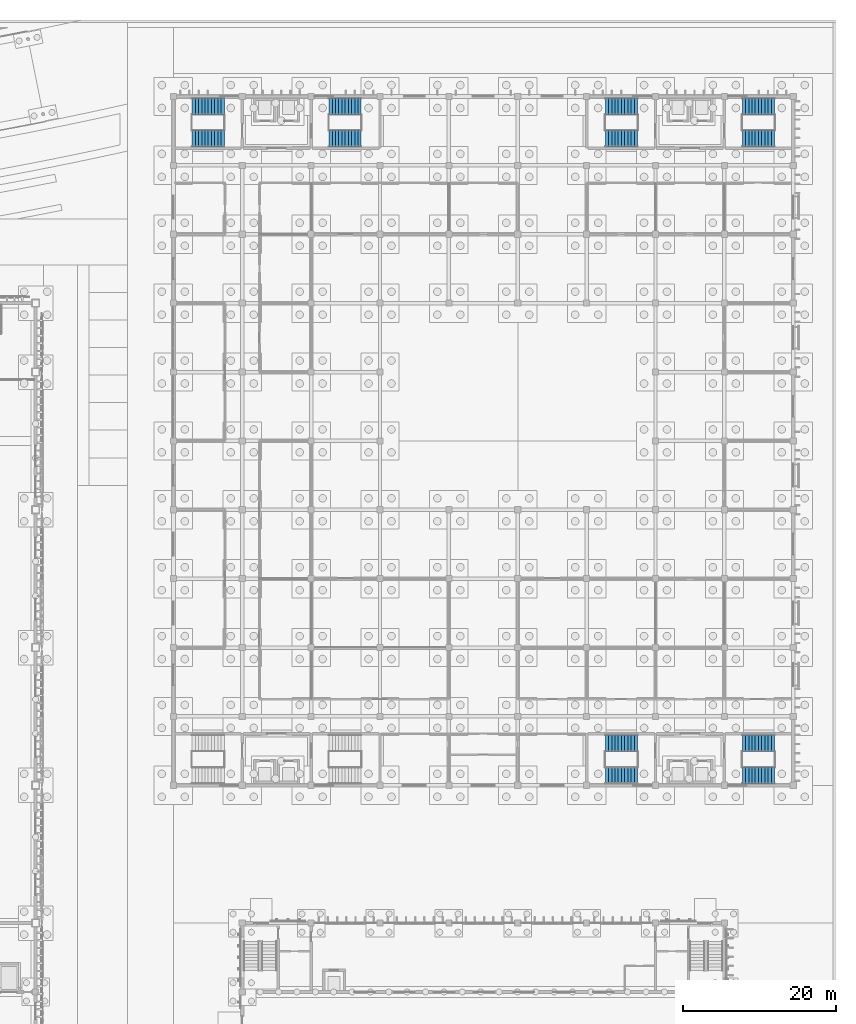
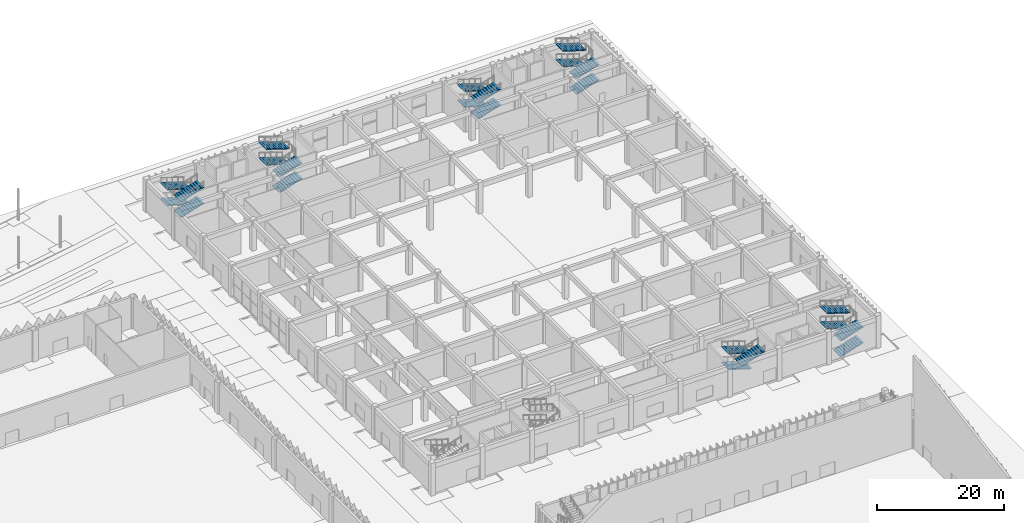
# One storey, part 112 of 198: 23 stair flights, 6 elements without a shape of their own.
"""IFC4 building model written with IfcOpenShell, lengths in metres."""

from ifc_helpers import new_model, si_unit, direction, frame, origin, place, context, subcontext, project, spatial, polyline, outline, extrude, material, type_object, element, aggregate, save


model = new_model("IFC4")

# Units and contexts
model_context = context("Model", 3, precision=1e-05, world=origin(), true_north=direction((0.0, 1.0)))
body_context = subcontext(model_context, "Body", "Model", "MODEL_VIEW")
ifc_project = project(units=[si_unit("LENGTHUNIT", "METRE"), si_unit("AREAUNIT", "SQUARE_METRE"), si_unit("VOLUMEUNIT", "CUBIC_METRE"), si_unit("PLANEANGLEUNIT", "RADIAN"), si_unit("MASSUNIT", "GRAM", prefix="KILO")], contexts=[model_context])

# Site, building, storey
site_placement = place(None, origin())
site = spatial("IfcSite", under=ifc_project, at=site_placement, CompositionType="ELEMENT")
building_placement = place(site_placement, origin())
building = spatial("IfcBuilding", under=site, at=building_placement, Name="Opaline Strait Convention Centre", CompositionType="ELEMENT")
storey_placement = place(building_placement, origin())
storey = spatial("IfcBuildingStorey", under=building, at=storey_placement, Name="L00", CompositionType="ELEMENT", Elevation=0.0)

# Stair, stair flights
ifc_material = material(Name="Concrete C40", Category="concrete")
stair_type = type_object("IfcStairType", Name="Escape stair half-turn 2200 concrete C40", PredefinedType="HALF_TURN_STAIR", material=ifc_material)
stair_1_placement = place(storey_placement, origin())
stair_1 = element("IfcStair", 1, at=stair_1_placement, inside=storey, type_object=stair_type, Name="L00 Stair S3-MTG", ObjectType="MST1", PredefinedType="HALF_TURN_STAIR")
stair_flight_type = type_object("IfcStairFlightType", Name="Stair flight 2200 concrete C40", PredefinedType="STRAIGHT", material=ifc_material)
stair_flight_1_placement = place(storey_placement, frame((353.349853515625, 91.300048828125, 0.0), z_axis=(0.0, 0.0, 1.0), x_axis=(1.0, 0.0, 0.0)))
stair_flight_1 = element("IfcStairFlight", 2, at=stair_flight_1_placement, type_object=stair_flight_type, Name="S3 flight 1", ObjectType="MSF2", NumberOfRisers=11, NumberOfTreads=10, PredefinedType="STRAIGHT", RiserHeight=0.136363636, TreadLength=0.42, context=body_context, shape_type="SweptSolid", body=[
    extrude(outline(polyline([(0.0, 0.0), (0.0, 0.136474609375), (0.419921875, 0.136474609375), (0.419921875, 0.272705078125), (0.840087890625, 0.272705078125), (0.840087890625, 0.4091796875), (1.260009765625, 0.4091796875), (1.260009765625, 0.54541015625), (1.679931640625, 0.54541015625), (1.679931640625, 0.681884765625), (2.10009765625, 0.681884765625), (2.10009765625, 0.818115234375), (2.52001953125, 0.818115234375), (2.52001953125, 0.95458984375), (2.93994140625, 0.95458984375), (2.93994140625, 1.0908203125), (3.360107421875, 1.0908203125), (3.360107421875, 1.227294921875), (3.780029296875, 1.227294921875), (3.780029296875, 1.363525390625), (4.199951171875, 1.363525390625), (4.199951171875, 1.5), (4.199951171875, 1.2060546875), (0.4853515625, 0.0), (0.0, 0.0)])), frame((0.0, 1.10009765625, 0.0), z_axis=(0.0, -1.0, 0.0), x_axis=(1.0, 0.0, 0.0)), (0.0, 0.0, 1.0), 2.199951171875),
])
stair_flight_2_placement = place(storey_placement, frame((357.5498046875, 95.5, 1.5), z_axis=(0.0, 0.0, 1.0), x_axis=(-1.0, 0.0, 0.0)))
stair_flight_2 = element("IfcStairFlight", 3, at=stair_flight_2_placement, type_object=stair_flight_type, Name="S3 flight 2", ObjectType="MSF2", NumberOfRisers=11, NumberOfTreads=10, PredefinedType="STRAIGHT", RiserHeight=0.136363636, TreadLength=0.42, context=body_context, shape_type="SweptSolid", body=[
    extrude(outline(polyline([(0.0, 0.0), (0.0, 0.136474609375), (0.419921875, 0.136474609375), (0.419921875, 0.272705078125), (0.840087890625, 0.272705078125), (0.840087890625, 0.4091796875), (1.260009765625, 0.4091796875), (1.260009765625, 0.54541015625), (1.679931640625, 0.54541015625), (1.679931640625, 0.681884765625), (2.10009765625, 0.681884765625), (2.10009765625, 0.818115234375), (2.52001953125, 0.818115234375), (2.52001953125, 0.95458984375), (2.93994140625, 0.95458984375), (2.93994140625, 1.0908203125), (3.360107421875, 1.0908203125), (3.360107421875, 1.227294921875), (3.780029296875, 1.227294921875), (3.780029296875, 1.363525390625), (4.199951171875, 1.363525390625), (4.199951171875, 1.5), (4.199951171875, 1.2060546875), (0.4853515625, 0.0), (0.0, 0.0)])), frame((0.0, 1.10009765625, 0.0), z_axis=(0.0, -1.0, 0.0), x_axis=(1.0, 0.0, 0.0)), (0.0, 0.0, 1.0), 2.199951171875),
])
stair_flight_3_placement = place(storey_placement, frame((353.349853515625, 91.300048828125, 3.0), z_axis=(0.0, 0.0, 1.0), x_axis=(1.0, 0.0, 0.0)))
stair_flight_3 = element("IfcStairFlight", 4, at=stair_flight_3_placement, type_object=stair_flight_type, Name="S3 flight 3", ObjectType="MSF2", NumberOfRisers=11, NumberOfTreads=10, PredefinedType="STRAIGHT", RiserHeight=0.136363636, TreadLength=0.42, context=body_context, shape_type="SweptSolid", body=[
    extrude(outline(polyline([(0.0, 0.0), (0.0, 0.136474609375), (0.419921875, 0.136474609375), (0.419921875, 0.272705078125), (0.840087890625, 0.272705078125), (0.840087890625, 0.4091796875), (1.260009765625, 0.4091796875), (1.260009765625, 0.54541015625), (1.679931640625, 0.54541015625), (1.679931640625, 0.681884765625), (2.10009765625, 0.681884765625), (2.10009765625, 0.818115234375), (2.52001953125, 0.818115234375), (2.52001953125, 0.95458984375), (2.93994140625, 0.95458984375), (2.93994140625, 1.0908203125), (3.360107421875, 1.0908203125), (3.360107421875, 1.227294921875), (3.780029296875, 1.227294921875), (3.780029296875, 1.363525390625), (4.199951171875, 1.363525390625), (4.199951171875, 1.5), (4.199951171875, 1.2060546875), (0.4853515625, 0.0), (0.0, 0.0)])), frame((0.0, 1.10009765625, 0.0), z_axis=(0.0, -1.0, 0.0), x_axis=(1.0, 0.0, 0.0)), (0.0, 0.0, 1.0), 2.199951171875),
])
stair_flight_4_placement = place(storey_placement, frame((357.5498046875, 95.5, 4.5), z_axis=(0.0, 0.0, 1.0), x_axis=(-1.0, 0.0, 0.0)))
stair_flight_4 = element("IfcStairFlight", 5, at=stair_flight_4_placement, type_object=stair_flight_type, Name="S3 flight 4", ObjectType="MSF2", NumberOfRisers=11, NumberOfTreads=10, PredefinedType="STRAIGHT", RiserHeight=0.136363636, TreadLength=0.42, context=body_context, shape_type="SweptSolid", body=[
    extrude(outline(polyline([(0.0, 0.0), (0.0, 0.136474609375), (0.419921875, 0.136474609375), (0.419921875, 0.272705078125), (0.840087890625, 0.272705078125), (0.840087890625, 0.4091796875), (1.260009765625, 0.4091796875), (1.260009765625, 0.54541015625), (1.679931640625, 0.54541015625), (1.679931640625, 0.681884765625), (2.10009765625, 0.681884765625), (2.10009765625, 0.818115234375), (2.52001953125, 0.818115234375), (2.52001953125, 0.95458984375), (2.93994140625, 0.95458984375), (2.93994140625, 1.0908203125), (3.360107421875, 1.0908203125), (3.360107421875, 1.227294921875), (3.780029296875, 1.227294921875), (3.780029296875, 1.363525390625), (4.199951171875, 1.363525390625), (4.199951171875, 1.5), (4.199951171875, 1.2060546875), (0.4853515625, 0.0), (0.0, 0.0)])), frame((0.0, 1.10009765625, 0.0), z_axis=(0.0, -1.0, 0.0), x_axis=(1.0, 0.0, 0.0)), (0.0, 0.0, 1.0), 2.199951171875),
])
aggregate(stair_1, [stair_flight_1, stair_flight_2, stair_flight_3, stair_flight_4])

stair_2_placement = place(storey_placement, origin())
stair_2 = element("IfcStair", 6, at=stair_2_placement, inside=storey, type_object=stair_type, Name="L00 Stair S4-MTG", ObjectType="MST1", PredefinedType="HALF_TURN_STAIR")
stair_flight_5_placement = place(storey_placement, frame((339.650146484375, 95.5, 0.0), z_axis=(0.0, 0.0, 1.0), x_axis=(-1.0, 0.0, 0.0)))
stair_flight_5 = element("IfcStairFlight", 7, at=stair_flight_5_placement, type_object=stair_flight_type, Name="S4 flight 1", ObjectType="MSF2", NumberOfRisers=11, NumberOfTreads=10, PredefinedType="STRAIGHT", RiserHeight=0.136363636, TreadLength=0.42, context=body_context, shape_type="SweptSolid", body=[
    extrude(outline(polyline([(0.0, 0.0), (0.0, 0.136474609375), (0.419921875, 0.136474609375), (0.419921875, 0.272705078125), (0.840087890625, 0.272705078125), (0.840087890625, 0.4091796875), (1.260009765625, 0.4091796875), (1.260009765625, 0.54541015625), (1.679931640625, 0.54541015625), (1.679931640625, 0.681884765625), (2.10009765625, 0.681884765625), (2.10009765625, 0.818115234375), (2.52001953125, 0.818115234375), (2.52001953125, 0.95458984375), (2.93994140625, 0.95458984375), (2.93994140625, 1.0908203125), (3.360107421875, 1.0908203125), (3.360107421875, 1.227294921875), (3.780029296875, 1.227294921875), (3.780029296875, 1.363525390625), (4.199951171875, 1.363525390625), (4.199951171875, 1.5), (4.199951171875, 1.2060546875), (0.4853515625, 0.0), (0.0, 0.0)])), frame((0.0, 1.10009765625, 0.0), z_axis=(0.0, -1.0, 0.0), x_axis=(1.0, 0.0, 0.0)), (0.0, 0.0, 1.0), 2.199951171875),
])
stair_flight_6_placement = place(storey_placement, frame((339.650146484375, 95.5, 3.0), z_axis=(0.0, 0.0, 1.0), x_axis=(-1.0, 0.0, 0.0)))
stair_flight_6 = element("IfcStairFlight", 8, at=stair_flight_6_placement, type_object=stair_flight_type, Name="S4 flight 3", ObjectType="MSF2", NumberOfRisers=11, NumberOfTreads=10, PredefinedType="STRAIGHT", RiserHeight=0.136363636, TreadLength=0.42, context=body_context, shape_type="SweptSolid", body=[
    extrude(outline(polyline([(0.0, 0.0), (0.0, 0.136474609375), (0.419921875, 0.136474609375), (0.419921875, 0.272705078125), (0.840087890625, 0.272705078125), (0.840087890625, 0.4091796875), (1.260009765625, 0.4091796875), (1.260009765625, 0.54541015625), (1.679931640625, 0.54541015625), (1.679931640625, 0.681884765625), (2.10009765625, 0.681884765625), (2.10009765625, 0.818115234375), (2.52001953125, 0.818115234375), (2.52001953125, 0.95458984375), (2.93994140625, 0.95458984375), (2.93994140625, 1.0908203125), (3.360107421875, 1.0908203125), (3.360107421875, 1.227294921875), (3.780029296875, 1.227294921875), (3.780029296875, 1.363525390625), (4.199951171875, 1.363525390625), (4.199951171875, 1.5), (4.199951171875, 1.2060546875), (0.4853515625, 0.0), (0.0, 0.0)])), frame((0.0, 1.10009765625, 0.0), z_axis=(0.0, -1.0, 0.0), x_axis=(1.0, 0.0, 0.0)), (0.0, 0.0, 1.0), 2.199951171875),
])
stair_flight_7_placement = place(storey_placement, frame((335.4501953125, 91.300048828125, 4.5), z_axis=(0.0, 0.0, 1.0), x_axis=(1.0, 0.0, 0.0)))
stair_flight_7 = element("IfcStairFlight", 9, at=stair_flight_7_placement, type_object=stair_flight_type, Name="S4 flight 4", ObjectType="MSF2", NumberOfRisers=11, NumberOfTreads=10, PredefinedType="STRAIGHT", RiserHeight=0.136363636, TreadLength=0.42, context=body_context, shape_type="SweptSolid", body=[
    extrude(outline(polyline([(0.0, 0.0), (0.0, 0.136474609375), (0.419921875, 0.136474609375), (0.419921875, 0.272705078125), (0.840087890625, 0.272705078125), (0.840087890625, 0.4091796875), (1.260009765625, 0.4091796875), (1.260009765625, 0.54541015625), (1.679931640625, 0.54541015625), (1.679931640625, 0.681884765625), (2.10009765625, 0.681884765625), (2.10009765625, 0.818115234375), (2.52001953125, 0.818115234375), (2.52001953125, 0.95458984375), (2.93994140625, 0.95458984375), (2.93994140625, 1.0908203125), (3.360107421875, 1.0908203125), (3.360107421875, 1.227294921875), (3.780029296875, 1.227294921875), (3.780029296875, 1.363525390625), (4.199951171875, 1.363525390625), (4.199951171875, 1.5), (4.199951171875, 1.2060546875), (0.4853515625, 0.0), (0.0, 0.0)])), frame((0.0, 1.10009765625, 0.0), z_axis=(0.0, -1.0, 0.0), x_axis=(1.0, 0.0, 0.0)), (0.0, 0.0, 1.0), 2.199951171875),
])
aggregate(stair_2, [stair_flight_5, stair_flight_6, stair_flight_7])

stair_3_placement = place(storey_placement, origin())
stair_3 = element("IfcStair", 10, at=stair_3_placement, inside=storey, type_object=stair_type, Name="L00 Stair S5-MTG", ObjectType="MST1", PredefinedType="HALF_TURN_STAIR")
stair_flight_8_placement = place(storey_placement, frame((285.650146484375, 178.699951171875, 0.0), z_axis=(0.0, 0.0, 1.0), x_axis=(-1.0, 0.0, 0.0)))
stair_flight_8 = element("IfcStairFlight", 11, at=stair_flight_8_placement, type_object=stair_flight_type, Name="S5 flight 1", ObjectType="MSF2", NumberOfRisers=11, NumberOfTreads=10, PredefinedType="STRAIGHT", RiserHeight=0.136363636, TreadLength=0.42, context=body_context, shape_type="SweptSolid", body=[
    extrude(outline(polyline([(0.0, 0.0), (0.0, 0.136474609375), (0.419921875, 0.136474609375), (0.419921875, 0.272705078125), (0.840087890625, 0.272705078125), (0.840087890625, 0.4091796875), (1.260009765625, 0.4091796875), (1.260009765625, 0.54541015625), (1.679931640625, 0.54541015625), (1.679931640625, 0.681884765625), (2.10009765625, 0.681884765625), (2.10009765625, 0.818115234375), (2.52001953125, 0.818115234375), (2.52001953125, 0.95458984375), (2.93994140625, 0.95458984375), (2.93994140625, 1.0908203125), (3.360107421875, 1.0908203125), (3.360107421875, 1.227294921875), (3.780029296875, 1.227294921875), (3.780029296875, 1.363525390625), (4.199951171875, 1.363525390625), (4.199951171875, 1.5), (4.199951171875, 1.2060546875), (0.4853515625, 0.0), (0.0, 0.0)])), frame((0.0, 1.10009765625, 0.0), z_axis=(0.0, -1.0, 0.0), x_axis=(1.0, 0.0, 0.0)), (0.0, 0.0, 1.0), 2.199951171875),
])
stair_flight_9_placement = place(storey_placement, frame((281.4501953125, 174.5, 1.5), z_axis=(0.0, 0.0, 1.0), x_axis=(1.0, 0.0, 0.0)))
stair_flight_9 = element("IfcStairFlight", 12, at=stair_flight_9_placement, type_object=stair_flight_type, Name="S5 flight 2", ObjectType="MSF2", NumberOfRisers=11, NumberOfTreads=10, PredefinedType="STRAIGHT", RiserHeight=0.136363636, TreadLength=0.42, context=body_context, shape_type="SweptSolid", body=[
    extrude(outline(polyline([(0.0, 0.0), (0.0, 0.136474609375), (0.419921875, 0.136474609375), (0.419921875, 0.272705078125), (0.840087890625, 0.272705078125), (0.840087890625, 0.4091796875), (1.260009765625, 0.4091796875), (1.260009765625, 0.54541015625), (1.679931640625, 0.54541015625), (1.679931640625, 0.681884765625), (2.10009765625, 0.681884765625), (2.10009765625, 0.818115234375), (2.52001953125, 0.818115234375), (2.52001953125, 0.95458984375), (2.93994140625, 0.95458984375), (2.93994140625, 1.0908203125), (3.360107421875, 1.0908203125), (3.360107421875, 1.227294921875), (3.780029296875, 1.227294921875), (3.780029296875, 1.363525390625), (4.199951171875, 1.363525390625), (4.199951171875, 1.5), (4.199951171875, 1.2060546875), (0.4853515625, 0.0), (0.0, 0.0)])), frame((0.0, 1.10009765625, 0.0), z_axis=(0.0, -1.0, 0.0), x_axis=(1.0, 0.0, 0.0)), (0.0, 0.0, 1.0), 2.199951171875),
])
stair_flight_10_placement = place(storey_placement, frame((285.650146484375, 178.699951171875, 3.0), z_axis=(0.0, 0.0, 1.0), x_axis=(-1.0, 0.0, 0.0)))
stair_flight_10 = element("IfcStairFlight", 13, at=stair_flight_10_placement, type_object=stair_flight_type, Name="S5 flight 3", ObjectType="MSF2", NumberOfRisers=11, NumberOfTreads=10, PredefinedType="STRAIGHT", RiserHeight=0.136363636, TreadLength=0.42, context=body_context, shape_type="SweptSolid", body=[
    extrude(outline(polyline([(0.0, 0.0), (0.0, 0.136474609375), (0.419921875, 0.136474609375), (0.419921875, 0.272705078125), (0.840087890625, 0.272705078125), (0.840087890625, 0.4091796875), (1.260009765625, 0.4091796875), (1.260009765625, 0.54541015625), (1.679931640625, 0.54541015625), (1.679931640625, 0.681884765625), (2.10009765625, 0.681884765625), (2.10009765625, 0.818115234375), (2.52001953125, 0.818115234375), (2.52001953125, 0.95458984375), (2.93994140625, 0.95458984375), (2.93994140625, 1.0908203125), (3.360107421875, 1.0908203125), (3.360107421875, 1.227294921875), (3.780029296875, 1.227294921875), (3.780029296875, 1.363525390625), (4.199951171875, 1.363525390625), (4.199951171875, 1.5), (4.199951171875, 1.2060546875), (0.4853515625, 0.0), (0.0, 0.0)])), frame((0.0, 1.10009765625, 0.0), z_axis=(0.0, -1.0, 0.0), x_axis=(1.0, 0.0, 0.0)), (0.0, 0.0, 1.0), 2.199951171875),
])
stair_flight_11_placement = place(storey_placement, frame((281.4501953125, 174.5, 4.5), z_axis=(0.0, 0.0, 1.0), x_axis=(1.0, 0.0, 0.0)))
stair_flight_11 = element("IfcStairFlight", 14, at=stair_flight_11_placement, type_object=stair_flight_type, Name="S5 flight 4", ObjectType="MSF2", NumberOfRisers=11, NumberOfTreads=10, PredefinedType="STRAIGHT", RiserHeight=0.136363636, TreadLength=0.42, context=body_context, shape_type="SweptSolid", body=[
    extrude(outline(polyline([(0.0, 0.0), (0.0, 0.136474609375), (0.419921875, 0.136474609375), (0.419921875, 0.272705078125), (0.840087890625, 0.272705078125), (0.840087890625, 0.4091796875), (1.260009765625, 0.4091796875), (1.260009765625, 0.54541015625), (1.679931640625, 0.54541015625), (1.679931640625, 0.681884765625), (2.10009765625, 0.681884765625), (2.10009765625, 0.818115234375), (2.52001953125, 0.818115234375), (2.52001953125, 0.95458984375), (2.93994140625, 0.95458984375), (2.93994140625, 1.0908203125), (3.360107421875, 1.0908203125), (3.360107421875, 1.227294921875), (3.780029296875, 1.227294921875), (3.780029296875, 1.363525390625), (4.199951171875, 1.363525390625), (4.199951171875, 1.5), (4.199951171875, 1.2060546875), (0.4853515625, 0.0), (0.0, 0.0)])), frame((0.0, 1.10009765625, 0.0), z_axis=(0.0, -1.0, 0.0), x_axis=(1.0, 0.0, 0.0)), (0.0, 0.0, 1.0), 2.199951171875),
])
aggregate(stair_3, [stair_flight_8, stair_flight_9, stair_flight_10, stair_flight_11])

stair_4_placement = place(storey_placement, origin())
stair_4 = element("IfcStair", 15, at=stair_4_placement, inside=storey, type_object=stair_type, Name="L00 Stair S6-MTG", ObjectType="MST1", PredefinedType="HALF_TURN_STAIR")
stair_flight_12_placement = place(storey_placement, frame((299.349853515625, 174.5, 0.0), z_axis=(0.0, 0.0, 1.0), x_axis=(1.0, 0.0, 0.0)))
stair_flight_12 = element("IfcStairFlight", 16, at=stair_flight_12_placement, type_object=stair_flight_type, Name="S6 flight 1", ObjectType="MSF2", NumberOfRisers=11, NumberOfTreads=10, PredefinedType="STRAIGHT", RiserHeight=0.136363636, TreadLength=0.42, context=body_context, shape_type="SweptSolid", body=[
    extrude(outline(polyline([(0.0, 0.0), (0.0, 0.136474609375), (0.419921875, 0.136474609375), (0.419921875, 0.272705078125), (0.840087890625, 0.272705078125), (0.840087890625, 0.4091796875), (1.260009765625, 0.4091796875), (1.260009765625, 0.54541015625), (1.679931640625, 0.54541015625), (1.679931640625, 0.681884765625), (2.10009765625, 0.681884765625), (2.10009765625, 0.818115234375), (2.52001953125, 0.818115234375), (2.52001953125, 0.95458984375), (2.93994140625, 0.95458984375), (2.93994140625, 1.0908203125), (3.360107421875, 1.0908203125), (3.360107421875, 1.227294921875), (3.780029296875, 1.227294921875), (3.780029296875, 1.363525390625), (4.199951171875, 1.363525390625), (4.199951171875, 1.5), (4.199951171875, 1.2060546875), (0.4853515625, 0.0), (0.0, 0.0)])), frame((0.0, 1.10009765625, 0.0), z_axis=(0.0, -1.0, 0.0), x_axis=(1.0, 0.0, 0.0)), (0.0, 0.0, 1.0), 2.199951171875),
])
stair_flight_13_placement = place(storey_placement, frame((303.5498046875, 178.699951171875, 1.5), z_axis=(0.0, 0.0, 1.0), x_axis=(-1.0, 0.0, 0.0)))
stair_flight_13 = element("IfcStairFlight", 17, at=stair_flight_13_placement, type_object=stair_flight_type, Name="S6 flight 2", ObjectType="MSF2", NumberOfRisers=11, NumberOfTreads=10, PredefinedType="STRAIGHT", RiserHeight=0.136363636, TreadLength=0.42, context=body_context, shape_type="SweptSolid", body=[
    extrude(outline(polyline([(0.0, 0.0), (0.0, 0.136474609375), (0.419921875, 0.136474609375), (0.419921875, 0.272705078125), (0.840087890625, 0.272705078125), (0.840087890625, 0.4091796875), (1.260009765625, 0.4091796875), (1.260009765625, 0.54541015625), (1.679931640625, 0.54541015625), (1.679931640625, 0.681884765625), (2.10009765625, 0.681884765625), (2.10009765625, 0.818115234375), (2.52001953125, 0.818115234375), (2.52001953125, 0.95458984375), (2.93994140625, 0.95458984375), (2.93994140625, 1.0908203125), (3.360107421875, 1.0908203125), (3.360107421875, 1.227294921875), (3.780029296875, 1.227294921875), (3.780029296875, 1.363525390625), (4.199951171875, 1.363525390625), (4.199951171875, 1.5), (4.199951171875, 1.2060546875), (0.4853515625, 0.0), (0.0, 0.0)])), frame((0.0, 1.10009765625, 0.0), z_axis=(0.0, -1.0, 0.0), x_axis=(1.0, 0.0, 0.0)), (0.0, 0.0, 1.0), 2.199951171875),
])
stair_flight_14_placement = place(storey_placement, frame((299.349853515625, 174.5, 3.0), z_axis=(0.0, 0.0, 1.0), x_axis=(1.0, 0.0, 0.0)))
stair_flight_14 = element("IfcStairFlight", 18, at=stair_flight_14_placement, type_object=stair_flight_type, Name="S6 flight 3", ObjectType="MSF2", NumberOfRisers=11, NumberOfTreads=10, PredefinedType="STRAIGHT", RiserHeight=0.136363636, TreadLength=0.42, context=body_context, shape_type="SweptSolid", body=[
    extrude(outline(polyline([(0.0, 0.0), (0.0, 0.136474609375), (0.419921875, 0.136474609375), (0.419921875, 0.272705078125), (0.840087890625, 0.272705078125), (0.840087890625, 0.4091796875), (1.260009765625, 0.4091796875), (1.260009765625, 0.54541015625), (1.679931640625, 0.54541015625), (1.679931640625, 0.681884765625), (2.10009765625, 0.681884765625), (2.10009765625, 0.818115234375), (2.52001953125, 0.818115234375), (2.52001953125, 0.95458984375), (2.93994140625, 0.95458984375), (2.93994140625, 1.0908203125), (3.360107421875, 1.0908203125), (3.360107421875, 1.227294921875), (3.780029296875, 1.227294921875), (3.780029296875, 1.363525390625), (4.199951171875, 1.363525390625), (4.199951171875, 1.5), (4.199951171875, 1.2060546875), (0.4853515625, 0.0), (0.0, 0.0)])), frame((0.0, 1.10009765625, 0.0), z_axis=(0.0, -1.0, 0.0), x_axis=(1.0, 0.0, 0.0)), (0.0, 0.0, 1.0), 2.199951171875),
])
stair_flight_15_placement = place(storey_placement, frame((303.5498046875, 178.699951171875, 4.5), z_axis=(0.0, 0.0, 1.0), x_axis=(-1.0, 0.0, 0.0)))
stair_flight_15 = element("IfcStairFlight", 19, at=stair_flight_15_placement, type_object=stair_flight_type, Name="S6 flight 4", ObjectType="MSF2", NumberOfRisers=11, NumberOfTreads=10, PredefinedType="STRAIGHT", RiserHeight=0.136363636, TreadLength=0.42, context=body_context, shape_type="SweptSolid", body=[
    extrude(outline(polyline([(0.0, 0.0), (0.0, 0.136474609375), (0.419921875, 0.136474609375), (0.419921875, 0.272705078125), (0.840087890625, 0.272705078125), (0.840087890625, 0.4091796875), (1.260009765625, 0.4091796875), (1.260009765625, 0.54541015625), (1.679931640625, 0.54541015625), (1.679931640625, 0.681884765625), (2.10009765625, 0.681884765625), (2.10009765625, 0.818115234375), (2.52001953125, 0.818115234375), (2.52001953125, 0.95458984375), (2.93994140625, 0.95458984375), (2.93994140625, 1.0908203125), (3.360107421875, 1.0908203125), (3.360107421875, 1.227294921875), (3.780029296875, 1.227294921875), (3.780029296875, 1.363525390625), (4.199951171875, 1.363525390625), (4.199951171875, 1.5), (4.199951171875, 1.2060546875), (0.4853515625, 0.0), (0.0, 0.0)])), frame((0.0, 1.10009765625, 0.0), z_axis=(0.0, -1.0, 0.0), x_axis=(1.0, 0.0, 0.0)), (0.0, 0.0, 1.0), 2.199951171875),
])
aggregate(stair_4, [stair_flight_12, stair_flight_13, stair_flight_14, stair_flight_15])

stair_5_placement = place(storey_placement, origin())
stair_5 = element("IfcStair", 20, at=stair_5_placement, inside=storey, type_object=stair_type, Name="L00 Stair S7-MTG", ObjectType="MST1", PredefinedType="HALF_TURN_STAIR")
stair_flight_16_placement = place(storey_placement, frame((353.349853515625, 174.5, 0.0), z_axis=(0.0, 0.0, 1.0), x_axis=(1.0, 0.0, 0.0)))
stair_flight_16 = element("IfcStairFlight", 21, at=stair_flight_16_placement, type_object=stair_flight_type, Name="S7 flight 1", ObjectType="MSF2", NumberOfRisers=11, NumberOfTreads=10, PredefinedType="STRAIGHT", RiserHeight=0.136363636, TreadLength=0.42, context=body_context, shape_type="SweptSolid", body=[
    extrude(outline(polyline([(0.0, 0.0), (0.0, 0.136474609375), (0.419921875, 0.136474609375), (0.419921875, 0.272705078125), (0.840087890625, 0.272705078125), (0.840087890625, 0.4091796875), (1.260009765625, 0.4091796875), (1.260009765625, 0.54541015625), (1.679931640625, 0.54541015625), (1.679931640625, 0.681884765625), (2.10009765625, 0.681884765625), (2.10009765625, 0.818115234375), (2.52001953125, 0.818115234375), (2.52001953125, 0.95458984375), (2.93994140625, 0.95458984375), (2.93994140625, 1.0908203125), (3.360107421875, 1.0908203125), (3.360107421875, 1.227294921875), (3.780029296875, 1.227294921875), (3.780029296875, 1.363525390625), (4.199951171875, 1.363525390625), (4.199951171875, 1.5), (4.199951171875, 1.2060546875), (0.4853515625, 0.0), (0.0, 0.0)])), frame((0.0, 1.10009765625, 0.0), z_axis=(0.0, -1.0, 0.0), x_axis=(1.0, 0.0, 0.0)), (0.0, 0.0, 1.0), 2.199951171875),
])
stair_flight_17_placement = place(storey_placement, frame((357.5498046875, 178.699951171875, 1.5), z_axis=(0.0, 0.0, 1.0), x_axis=(-1.0, 0.0, 0.0)))
stair_flight_17 = element("IfcStairFlight", 22, at=stair_flight_17_placement, type_object=stair_flight_type, Name="S7 flight 2", ObjectType="MSF2", NumberOfRisers=11, NumberOfTreads=10, PredefinedType="STRAIGHT", RiserHeight=0.136363636, TreadLength=0.42, context=body_context, shape_type="SweptSolid", body=[
    extrude(outline(polyline([(0.0, 0.0), (0.0, 0.136474609375), (0.419921875, 0.136474609375), (0.419921875, 0.272705078125), (0.840087890625, 0.272705078125), (0.840087890625, 0.4091796875), (1.260009765625, 0.4091796875), (1.260009765625, 0.54541015625), (1.679931640625, 0.54541015625), (1.679931640625, 0.681884765625), (2.10009765625, 0.681884765625), (2.10009765625, 0.818115234375), (2.52001953125, 0.818115234375), (2.52001953125, 0.95458984375), (2.93994140625, 0.95458984375), (2.93994140625, 1.0908203125), (3.360107421875, 1.0908203125), (3.360107421875, 1.227294921875), (3.780029296875, 1.227294921875), (3.780029296875, 1.363525390625), (4.199951171875, 1.363525390625), (4.199951171875, 1.5), (4.199951171875, 1.2060546875), (0.4853515625, 0.0), (0.0, 0.0)])), frame((0.0, 1.10009765625, 0.0), z_axis=(0.0, -1.0, 0.0), x_axis=(1.0, 0.0, 0.0)), (0.0, 0.0, 1.0), 2.199951171875),
])
stair_flight_18_placement = place(storey_placement, frame((353.349853515625, 174.5, 3.0), z_axis=(0.0, 0.0, 1.0), x_axis=(1.0, 0.0, 0.0)))
stair_flight_18 = element("IfcStairFlight", 23, at=stair_flight_18_placement, type_object=stair_flight_type, Name="S7 flight 3", ObjectType="MSF2", NumberOfRisers=11, NumberOfTreads=10, PredefinedType="STRAIGHT", RiserHeight=0.136363636, TreadLength=0.42, context=body_context, shape_type="SweptSolid", body=[
    extrude(outline(polyline([(0.0, 0.0), (0.0, 0.136474609375), (0.419921875, 0.136474609375), (0.419921875, 0.272705078125), (0.840087890625, 0.272705078125), (0.840087890625, 0.4091796875), (1.260009765625, 0.4091796875), (1.260009765625, 0.54541015625), (1.679931640625, 0.54541015625), (1.679931640625, 0.681884765625), (2.10009765625, 0.681884765625), (2.10009765625, 0.818115234375), (2.52001953125, 0.818115234375), (2.52001953125, 0.95458984375), (2.93994140625, 0.95458984375), (2.93994140625, 1.0908203125), (3.360107421875, 1.0908203125), (3.360107421875, 1.227294921875), (3.780029296875, 1.227294921875), (3.780029296875, 1.363525390625), (4.199951171875, 1.363525390625), (4.199951171875, 1.5), (4.199951171875, 1.2060546875), (0.4853515625, 0.0), (0.0, 0.0)])), frame((0.0, 1.10009765625, 0.0), z_axis=(0.0, -1.0, 0.0), x_axis=(1.0, 0.0, 0.0)), (0.0, 0.0, 1.0), 2.199951171875),
])
stair_flight_19_placement = place(storey_placement, frame((357.5498046875, 178.699951171875, 4.5), z_axis=(0.0, 0.0, 1.0), x_axis=(-1.0, 0.0, 0.0)))
stair_flight_19 = element("IfcStairFlight", 24, at=stair_flight_19_placement, type_object=stair_flight_type, Name="S7 flight 4", ObjectType="MSF2", NumberOfRisers=11, NumberOfTreads=10, PredefinedType="STRAIGHT", RiserHeight=0.136363636, TreadLength=0.42, context=body_context, shape_type="SweptSolid", body=[
    extrude(outline(polyline([(0.0, 0.0), (0.0, 0.136474609375), (0.419921875, 0.136474609375), (0.419921875, 0.272705078125), (0.840087890625, 0.272705078125), (0.840087890625, 0.4091796875), (1.260009765625, 0.4091796875), (1.260009765625, 0.54541015625), (1.679931640625, 0.54541015625), (1.679931640625, 0.681884765625), (2.10009765625, 0.681884765625), (2.10009765625, 0.818115234375), (2.52001953125, 0.818115234375), (2.52001953125, 0.95458984375), (2.93994140625, 0.95458984375), (2.93994140625, 1.0908203125), (3.360107421875, 1.0908203125), (3.360107421875, 1.227294921875), (3.780029296875, 1.227294921875), (3.780029296875, 1.363525390625), (4.199951171875, 1.363525390625), (4.199951171875, 1.5), (4.199951171875, 1.2060546875), (0.4853515625, 0.0), (0.0, 0.0)])), frame((0.0, 1.10009765625, 0.0), z_axis=(0.0, -1.0, 0.0), x_axis=(1.0, 0.0, 0.0)), (0.0, 0.0, 1.0), 2.199951171875),
])
aggregate(stair_5, [stair_flight_16, stair_flight_17, stair_flight_18, stair_flight_19])

stair_6_placement = place(storey_placement, origin())
stair_6 = element("IfcStair", 25, at=stair_6_placement, inside=storey, type_object=stair_type, Name="L00 Stair S8-MTG", ObjectType="MST1", PredefinedType="HALF_TURN_STAIR")
stair_flight_20_placement = place(storey_placement, frame((339.650146484375, 178.699951171875, 0.0), z_axis=(0.0, 0.0, 1.0), x_axis=(-1.0, 0.0, 0.0)))
stair_flight_20 = element("IfcStairFlight", 26, at=stair_flight_20_placement, type_object=stair_flight_type, Name="S8 flight 1", ObjectType="MSF2", NumberOfRisers=11, NumberOfTreads=10, PredefinedType="STRAIGHT", RiserHeight=0.136363636, TreadLength=0.42, context=body_context, shape_type="SweptSolid", body=[
    extrude(outline(polyline([(0.0, 0.0), (0.0, 0.136474609375), (0.419921875, 0.136474609375), (0.419921875, 0.272705078125), (0.840087890625, 0.272705078125), (0.840087890625, 0.4091796875), (1.260009765625, 0.4091796875), (1.260009765625, 0.54541015625), (1.679931640625, 0.54541015625), (1.679931640625, 0.681884765625), (2.10009765625, 0.681884765625), (2.10009765625, 0.818115234375), (2.52001953125, 0.818115234375), (2.52001953125, 0.95458984375), (2.93994140625, 0.95458984375), (2.93994140625, 1.0908203125), (3.360107421875, 1.0908203125), (3.360107421875, 1.227294921875), (3.780029296875, 1.227294921875), (3.780029296875, 1.363525390625), (4.199951171875, 1.363525390625), (4.199951171875, 1.5), (4.199951171875, 1.2060546875), (0.4853515625, 0.0), (0.0, 0.0)])), frame((0.0, 1.10009765625, 0.0), z_axis=(0.0, -1.0, 0.0), x_axis=(1.0, 0.0, 0.0)), (0.0, 0.0, 1.0), 2.199951171875),
])
stair_flight_21_placement = place(storey_placement, frame((335.4501953125, 174.5, 1.5), z_axis=(0.0, 0.0, 1.0), x_axis=(1.0, 0.0, 0.0)))
stair_flight_21 = element("IfcStairFlight", 27, at=stair_flight_21_placement, type_object=stair_flight_type, Name="S8 flight 2", ObjectType="MSF2", NumberOfRisers=11, NumberOfTreads=10, PredefinedType="STRAIGHT", RiserHeight=0.136363636, TreadLength=0.42, context=body_context, shape_type="SweptSolid", body=[
    extrude(outline(polyline([(0.0, 0.0), (0.0, 0.136474609375), (0.419921875, 0.136474609375), (0.419921875, 0.272705078125), (0.840087890625, 0.272705078125), (0.840087890625, 0.4091796875), (1.260009765625, 0.4091796875), (1.260009765625, 0.54541015625), (1.679931640625, 0.54541015625), (1.679931640625, 0.681884765625), (2.10009765625, 0.681884765625), (2.10009765625, 0.818115234375), (2.52001953125, 0.818115234375), (2.52001953125, 0.95458984375), (2.93994140625, 0.95458984375), (2.93994140625, 1.0908203125), (3.360107421875, 1.0908203125), (3.360107421875, 1.227294921875), (3.780029296875, 1.227294921875), (3.780029296875, 1.363525390625), (4.199951171875, 1.363525390625), (4.199951171875, 1.5), (4.199951171875, 1.2060546875), (0.4853515625, 0.0), (0.0, 0.0)])), frame((0.0, 1.10009765625, 0.0), z_axis=(0.0, -1.0, 0.0), x_axis=(1.0, 0.0, 0.0)), (0.0, 0.0, 1.0), 2.199951171875),
])
stair_flight_22_placement = place(storey_placement, frame((339.650146484375, 178.699951171875, 3.0), z_axis=(0.0, 0.0, 1.0), x_axis=(-1.0, 0.0, 0.0)))
stair_flight_22 = element("IfcStairFlight", 28, at=stair_flight_22_placement, type_object=stair_flight_type, Name="S8 flight 3", ObjectType="MSF2", NumberOfRisers=11, NumberOfTreads=10, PredefinedType="STRAIGHT", RiserHeight=0.136363636, TreadLength=0.42, context=body_context, shape_type="SweptSolid", body=[
    extrude(outline(polyline([(0.0, 0.0), (0.0, 0.136474609375), (0.419921875, 0.136474609375), (0.419921875, 0.272705078125), (0.840087890625, 0.272705078125), (0.840087890625, 0.4091796875), (1.260009765625, 0.4091796875), (1.260009765625, 0.54541015625), (1.679931640625, 0.54541015625), (1.679931640625, 0.681884765625), (2.10009765625, 0.681884765625), (2.10009765625, 0.818115234375), (2.52001953125, 0.818115234375), (2.52001953125, 0.95458984375), (2.93994140625, 0.95458984375), (2.93994140625, 1.0908203125), (3.360107421875, 1.0908203125), (3.360107421875, 1.227294921875), (3.780029296875, 1.227294921875), (3.780029296875, 1.363525390625), (4.199951171875, 1.363525390625), (4.199951171875, 1.5), (4.199951171875, 1.2060546875), (0.4853515625, 0.0), (0.0, 0.0)])), frame((0.0, 1.10009765625, 0.0), z_axis=(0.0, -1.0, 0.0), x_axis=(1.0, 0.0, 0.0)), (0.0, 0.0, 1.0), 2.199951171875),
])
stair_flight_23_placement = place(storey_placement, frame((335.4501953125, 174.5, 4.5), z_axis=(0.0, 0.0, 1.0), x_axis=(1.0, 0.0, 0.0)))
stair_flight_23 = element("IfcStairFlight", 29, at=stair_flight_23_placement, type_object=stair_flight_type, Name="S8 flight 4", ObjectType="MSF2", NumberOfRisers=11, NumberOfTreads=10, PredefinedType="STRAIGHT", RiserHeight=0.136363636, TreadLength=0.42, context=body_context, shape_type="SweptSolid", body=[
    extrude(outline(polyline([(0.0, 0.0), (0.0, 0.136474609375), (0.419921875, 0.136474609375), (0.419921875, 0.272705078125), (0.840087890625, 0.272705078125), (0.840087890625, 0.4091796875), (1.260009765625, 0.4091796875), (1.260009765625, 0.54541015625), (1.679931640625, 0.54541015625), (1.679931640625, 0.681884765625), (2.10009765625, 0.681884765625), (2.10009765625, 0.818115234375), (2.52001953125, 0.818115234375), (2.52001953125, 0.95458984375), (2.93994140625, 0.95458984375), (2.93994140625, 1.0908203125), (3.360107421875, 1.0908203125), (3.360107421875, 1.227294921875), (3.780029296875, 1.227294921875), (3.780029296875, 1.363525390625), (4.199951171875, 1.363525390625), (4.199951171875, 1.5), (4.199951171875, 1.2060546875), (0.4853515625, 0.0), (0.0, 0.0)])), frame((0.0, 1.10009765625, 0.0), z_axis=(0.0, -1.0, 0.0), x_axis=(1.0, 0.0, 0.0)), (0.0, 0.0, 1.0), 2.199951171875),
])
aggregate(stair_6, [stair_flight_20, stair_flight_21, stair_flight_22, stair_flight_23])

save(model, "model.ifc")
